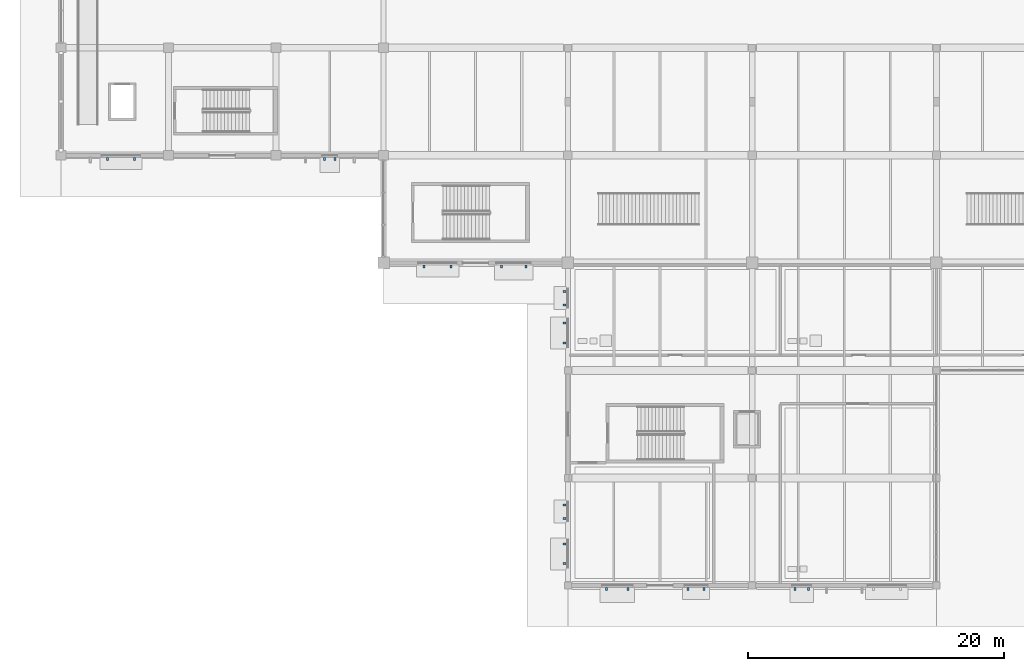
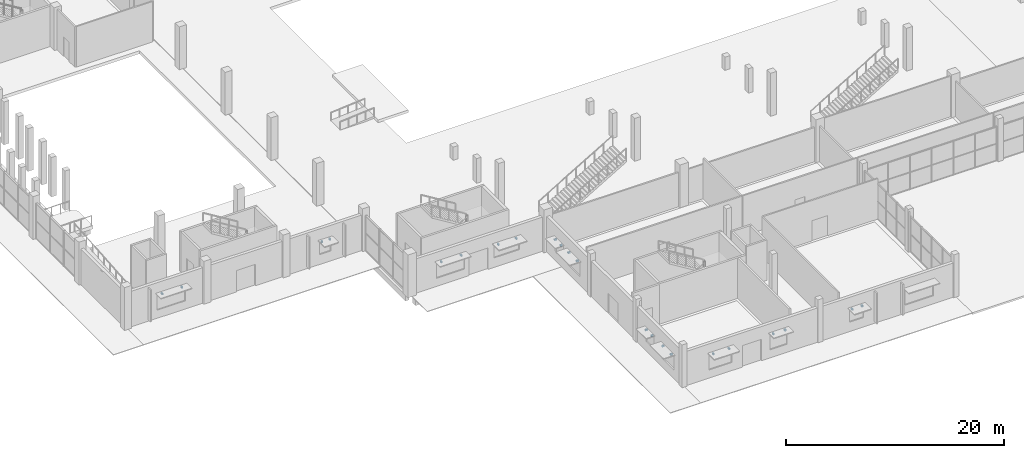
# One storey, part 101 of 130: 22 discrete accessories.
"""IFC4 building model written with IfcOpenShell, lengths in metres."""

from ifc_helpers import new_model, si_unit, direction, frame, origin, origin_2d, place, context, subcontext, project, spatial, rectangle, extrude, material, type_object, element, save


model = new_model("IFC4")

# Units and contexts
model_context = context("Model", 3, precision=1e-05, world=origin(), true_north=direction((0.0, 1.0)))
body_context = subcontext(model_context, "Body", "Model", "MODEL_VIEW")
ifc_project = project(units=[si_unit("LENGTHUNIT", "METRE"), si_unit("AREAUNIT", "SQUARE_METRE"), si_unit("VOLUMEUNIT", "CUBIC_METRE"), si_unit("PLANEANGLEUNIT", "RADIAN"), si_unit("MASSUNIT", "GRAM", prefix="KILO"), si_unit("THERMODYNAMICTEMPERATUREUNIT", "KELVIN")], contexts=[model_context])

# Site, building, storey
site_placement = place(None, origin())
site = spatial("IfcSite", under=ifc_project, at=site_placement, CompositionType="ELEMENT")
building_placement = place(site_placement, origin())
building = spatial("IfcBuilding", under=site, at=building_placement, Name="Nduvali Passage Aquatics Centre", CompositionType="ELEMENT")
storey_placement = place(building_placement, origin())
storey = spatial("IfcBuildingStorey", under=building, at=storey_placement, Name="L00", CompositionType="ELEMENT", Elevation=0.0)

# Discrete accessories
ifc_material = material(Name="Steel S355", Category="steel")
discrete_accessory_type = type_object("IfcDiscreteAccessoryType", Name="ENV-BRK-S355", PredefinedType="BRACKET", material=ifc_material)
for number, where, z_axis, x_axis, name in (
    (1, (42.635986328125, -0.27001953125, 2.580078125), (0.0, 0.0, 1.0), (1.0, 0.0, 0.0), "L00 Sunshade Bracket 0001"),
    (2, (44.31591796875, -0.27001953125, 2.580078125), (0.0, 0.0, 1.0), (1.0, 0.0, 0.0), "L00 Sunshade Bracket 0002"),
    (3, (48.993896484375, -0.27001953125, 2.5849609375), (0.0, 0.0, 1.0), (1.0, 0.0, 0.0), "L00 Sunshade Bracket 0003"),
    (4, (50.25390625, -0.27001953125, 2.5849609375), (0.0, 0.0, 1.0), (1.0, 0.0, 0.0), "L00 Sunshade Bracket 0004"),
    (5, (57.35107421875, -0.27001953125, 2.43017578125), (0.0, 0.0, 1.0), (1.0, 0.0, 0.0), "L00 Sunshade Bracket 0005"),
    (6, (58.40087890625, -0.27001953125, 2.43017578125), (0.0, 0.0, 1.0), (1.0, 0.0, 0.0), "L00 Sunshade Bracket 0006"),
    (7, (39.330078125, 6.294921875, 2.43505859375), (0.0, 0.0, 1.0), (0.0, -1.0, 0.0), "L00 Sunshade Bracket 0017"),
    (8, (39.330078125, 5.2451171875, 2.43505859375), (0.0, 0.0, 1.0), (0.0, -1.0, 0.0), "L00 Sunshade Bracket 0018"),
    (9, (39.330078125, 3.242919921875, 2.47998046875), (0.0, 0.0, 1.0), (0.0, -1.0, 0.0), "L00 Sunshade Bracket 0019"),
    (10, (39.330078125, 1.702880859375, 2.47998046875), (0.0, 0.0, 1.0), (0.0, -1.0, 0.0), "L00 Sunshade Bracket 0020"),
    (11, (39.330078125, 22.971923828125, 2.43505859375), (0.0, 0.0, 1.0), (0.0, -1.0, 0.0), "L00 Sunshade Bracket 0027"),
    (12, (39.330078125, 21.922119140625, 2.43505859375), (0.0, 0.0, 1.0), (0.0, -1.0, 0.0), "L00 Sunshade Bracket 0028"),
    (13, (39.330078125, 20.493896484375, 2.47998046875), (0.0, 0.0, 1.0), (0.0, -1.0, 0.0), "L00 Sunshade Bracket 0029"),
    (14, (39.330078125, 18.9541015625, 2.47998046875), (0.0, 0.0, 1.0), (0.0, -1.0, 0.0), "L00 Sunshade Bracket 0030"),
    (15, (3.64990234375, 33.330078125, 2.5849609375), (0.0, 0.0, 1.0), (1.0, 0.0, 0.0), "L00 Sunshade Bracket 0069"),
    (16, (5.75, 33.330078125, 2.5849609375), (0.0, 0.0, 1.0), (1.0, 0.0, 0.0), "L00 Sunshade Bracket 0070"),
    (17, (20.580078125, 33.330078125, 2.47998046875), (0.0, 0.0, 1.0), (1.0, 0.0, 0.0), "L00 Sunshade Bracket 0073"),
    (18, (21.419921875, 33.330078125, 2.47998046875), (0.0, 0.0, 1.0), (1.0, 0.0, 0.0), "L00 Sunshade Bracket 0074"),
    (19, (28.3798828125, 24.929931640625, 2.5849609375), (0.0, 0.0, 1.0), (1.0, 0.0, 0.0), "L00 Sunshade Bracket 0095"),
    (20, (30.47998046875, 24.929931640625, 2.5849609375), (0.0, 0.0, 1.0), (1.0, 0.0, 0.0), "L00 Sunshade Bracket 0096"),
    (21, (34.425048828125, 24.929931640625, 2.43017578125), (0.0, 0.0, 1.0), (1.0, 0.0, 0.0), "L00 Sunshade Bracket 0097"),
    (22, (36.31494140625, 24.929931640625, 2.43017578125), (0.0, 0.0, 1.0), (1.0, 0.0, 0.0), "L00 Sunshade Bracket 0098"),
):
    element("IfcDiscreteAccessory", number, at=place(storey_placement, frame(where, z_axis=z_axis, x_axis=x_axis)), inside=storey, type_object=discrete_accessory_type, Name=name, PredefinedType="BRACKET", context=body_context, shape_type="SweptSolid", body=[
        extrude(rectangle(XDim=0.159912109375, YDim=0.239990234375, at=origin_2d()), origin(), (0.0, 0.0, 1.0), 0.179931640625),
    ])

save(model, "model.ifc")
